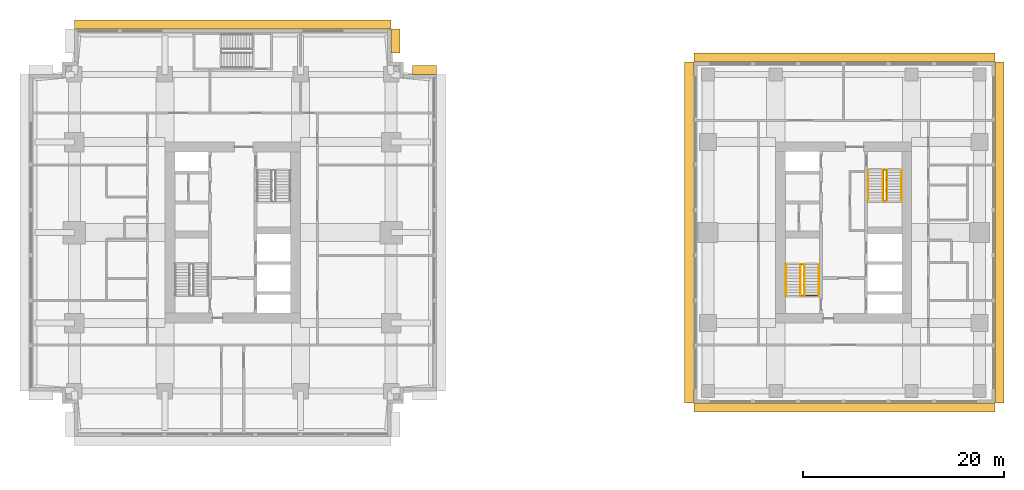
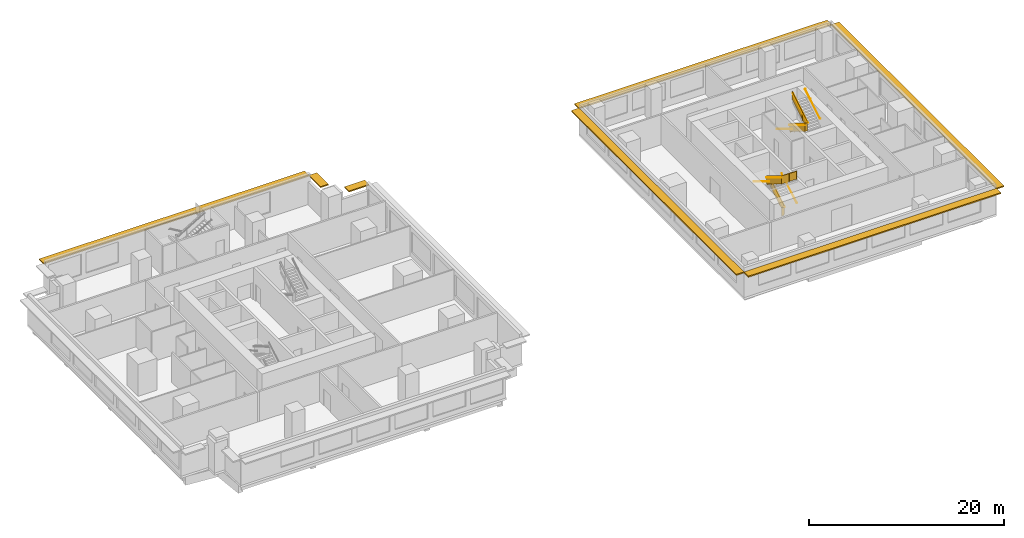
# One storey, part 10 of 10: 10 railings, 7 shading devices.
"""IFC4 building model written with IfcOpenShell, lengths in metres."""

from ifc_helpers import new_model, si_unit, direction, frame, origin, origin_2d, place, context, subcontext, project, spatial, polyline, rectangle, circle, outline, extrude, material, layer, layer_set, type_object, element, save


model = new_model("IFC4")

# Units and contexts
model_context = context("Model", 3, precision=1e-05, world=origin(), true_north=direction((0.0, 1.0)))
body_context = subcontext(model_context, "Body", "Model", "MODEL_VIEW")
ifc_project = project(units=[si_unit("LENGTHUNIT", "METRE"), si_unit("AREAUNIT", "SQUARE_METRE"), si_unit("VOLUMEUNIT", "CUBIC_METRE"), si_unit("PLANEANGLEUNIT", "RADIAN"), si_unit("MASSUNIT", "GRAM", prefix="KILO")], contexts=[model_context])

# Site, building, storey
site_placement = place(None, origin())
site = spatial("IfcSite", under=ifc_project, at=site_placement, CompositionType="ELEMENT")
building_placement = place(site_placement, origin())
building = spatial("IfcBuilding", under=site, at=building_placement, Name="Namib Vertical Campus", CompositionType="ELEMENT")
storey_placement = place(building_placement, frame((0.0, 0.0, 229.0)))
storey = spatial("IfcBuildingStorey", under=building, at=storey_placement, Name="L54", CompositionType="ELEMENT", Elevation=229.0)

# Railings
ifc_material_1 = material(Name="Steel handrail", Category="steel")
railing_type_1 = type_object("IfcRailingType", Name="Handrail 900", PredefinedType="HANDRAIL", material=ifc_material_1)
railing_1_placement = place(storey_placement, frame((78.550048828125, 14.0, 0.166748046875)))
element("IfcRailing", 1, at=railing_1_placement, inside=storey, type_object=railing_type_1, Name="Handrail HR1 B-S1 L54 1", PredefinedType="HANDRAIL", context=body_context, shape_type="SweptSolid", body=[
    extrude(circle(Radius=0.02392578125, at=origin_2d()), frame((0.0, 0.0, 0.8759765625), z_axis=(0.0, 0.859308565015, 0.511457515432), x_axis=(-1.0, 0.0, 0.0)), (0.0, 0.0, 1.0), 3.58447265625),
    extrude(circle(Radius=0.008056640625, at=origin_2d()), frame((0.0, 0.0, 0.8759765625), z_axis=(1.0, 0.0, 0.0), x_axis=(0.0, 0.0, 1.0)), (0.0, 0.0, 1.0), 0.050048828125),
    extrude(circle(Radius=0.008056640625, at=origin_2d()), frame((0.0, 1.026611328125, 1.48681640625), z_axis=(1.0, 0.0, 0.0), x_axis=(0.0, 0.0, 1.0)), (0.0, 0.0, 1.0), 0.050048828125),
    extrude(circle(Radius=0.008056640625, at=origin_2d()), frame((0.0, 2.053466796875, 2.09814453125), z_axis=(1.0, 0.0, 0.0), x_axis=(0.0, 0.0, 1.0)), (0.0, 0.0, 1.0), 0.050048828125),
    extrude(circle(Radius=0.008056640625, at=origin_2d()), frame((0.0, 3.080078125, 2.708984375), z_axis=(1.0, 0.0, 0.0), x_axis=(0.0, 0.0, 1.0)), (0.0, 0.0, 1.0), 0.050048828125),
])
railing_2_placement = place(storey_placement, frame((75.25, 17.080078125, 2.166748046875)))
element("IfcRailing", 2, at=railing_2_placement, inside=storey, type_object=railing_type_1, Name="Handrail HR1 B-S1 L54 2", PredefinedType="HANDRAIL", context=body_context, shape_type="SweptSolid", body=[
    extrude(circle(Radius=0.02392578125, at=origin_2d()), frame((0.0, 0.0, 0.8759765625), z_axis=(0.0, -0.859308565015, 0.511457515432), x_axis=(1.0, 0.0, 0.0)), (0.0, 0.0, 1.0), 3.58447265625),
    extrude(circle(Radius=0.008056640625, at=origin_2d()), frame((0.0, 0.0, 0.8759765625), z_axis=(-1.0, 0.0, 0.0), x_axis=(0.0, 0.0, 1.0)), (0.0, 0.0, 1.0), 0.050048828125),
    extrude(circle(Radius=0.008056640625, at=origin_2d()), frame((0.0, -1.026611328125, 1.48681640625), z_axis=(-1.0, 0.0, 0.0), x_axis=(0.0, 0.0, 1.0)), (0.0, 0.0, 1.0), 0.050048828125),
    extrude(circle(Radius=0.008056640625, at=origin_2d()), frame((0.0, -2.053466796875, 2.09814453125), z_axis=(-1.0, 0.0, 0.0), x_axis=(0.0, 0.0, 1.0)), (0.0, 0.0, 1.0), 0.050048828125),
    extrude(circle(Radius=0.008056640625, at=origin_2d()), frame((0.0, -3.080078125, 2.708984375), z_axis=(-1.0, 0.0, 0.0), x_axis=(0.0, 0.0, 1.0)), (0.0, 0.0, 1.0), 0.050048828125),
])
railing_3_placement = place(storey_placement, frame((77.10009765625, 14.0, 0.166748046875)))
element("IfcRailing", 3, at=railing_3_placement, inside=storey, type_object=railing_type_1, Name="Handrail HR1 B-S1 L54 1 at the well", PredefinedType="HANDRAIL", context=body_context, shape_type="SweptSolid", body=[
    extrude(circle(Radius=0.02392578125, at=origin_2d()), frame((0.0, 0.0, 0.8759765625), z_axis=(0.0, 0.859308565015, 0.511457515432), x_axis=(-1.0, 0.0, 0.0)), (0.0, 0.0, 1.0), 3.58447265625),
    extrude(circle(Radius=0.008056640625, at=origin_2d()), frame((0.0, 0.0, 0.8759765625), z_axis=(-1.0, 0.0, 0.0), x_axis=(0.0, 0.0, 1.0)), (0.0, 0.0, 1.0), 0.0400390625),
    extrude(circle(Radius=0.008056640625, at=origin_2d()), frame((0.0, 1.026611328125, 1.48681640625), z_axis=(-1.0, 0.0, 0.0), x_axis=(0.0, 0.0, 1.0)), (0.0, 0.0, 1.0), 0.0400390625),
    extrude(circle(Radius=0.008056640625, at=origin_2d()), frame((0.0, 2.053466796875, 2.09814453125), z_axis=(-1.0, 0.0, 0.0), x_axis=(0.0, 0.0, 1.0)), (0.0, 0.0, 1.0), 0.0400390625),
    extrude(circle(Radius=0.008056640625, at=origin_2d()), frame((0.0, 3.080078125, 2.708984375), z_axis=(-1.0, 0.0, 0.0), x_axis=(0.0, 0.0, 1.0)), (0.0, 0.0, 1.0), 0.0400390625),
])
railing_4_placement = place(storey_placement, frame((76.699951171875, 17.080078125, 2.166748046875)))
element("IfcRailing", 4, at=railing_4_placement, inside=storey, type_object=railing_type_1, Name="Handrail HR1 B-S1 L54 2 at the well", PredefinedType="HANDRAIL", context=body_context, shape_type="SweptSolid", body=[
    extrude(circle(Radius=0.02392578125, at=origin_2d()), frame((0.0, 0.0, 0.8759765625), z_axis=(0.0, -0.859308565015, 0.511457515432), x_axis=(1.0, 0.0, 0.0)), (0.0, 0.0, 1.0), 3.58447265625),
    extrude(circle(Radius=0.008056640625, at=origin_2d()), frame((0.0, 0.0, 0.8759765625), z_axis=(1.0, 0.0, 0.0), x_axis=(0.0, 0.0, 1.0)), (0.0, 0.0, 1.0), 0.0400390625),
    extrude(circle(Radius=0.008056640625, at=origin_2d()), frame((0.0, -1.026611328125, 1.48681640625), z_axis=(1.0, 0.0, 0.0), x_axis=(0.0, 0.0, 1.0)), (0.0, 0.0, 1.0), 0.0400390625),
    extrude(circle(Radius=0.008056640625, at=origin_2d()), frame((0.0, -2.053466796875, 2.09814453125), z_axis=(1.0, 0.0, 0.0), x_axis=(0.0, 0.0, 1.0)), (0.0, 0.0, 1.0), 0.0400390625),
    extrude(circle(Radius=0.008056640625, at=origin_2d()), frame((0.0, -3.080078125, 2.708984375), z_axis=(1.0, 0.0, 0.0), x_axis=(0.0, 0.0, 1.0)), (0.0, 0.0, 1.0), 0.0400390625),
])
railing_5_placement = place(storey_placement, frame((83.449951171875, 26.5, 0.166748046875)))
element("IfcRailing", 5, at=railing_5_placement, inside=storey, type_object=railing_type_1, Name="Handrail HR1 B-S2 L54 1", PredefinedType="HANDRAIL", context=body_context, shape_type="SweptSolid", body=[
    extrude(circle(Radius=0.02392578125, at=origin_2d()), frame((0.0, 0.0, 0.8759765625), z_axis=(0.0, -0.859308565015, 0.511457515432), x_axis=(1.0, 0.0, 0.0)), (0.0, 0.0, 1.0), 3.58447265625),
    extrude(circle(Radius=0.008056640625, at=origin_2d()), frame((0.0, 0.0, 0.8759765625), z_axis=(-1.0, 0.0, 0.0), x_axis=(0.0, 0.0, 1.0)), (0.0, 0.0, 1.0), 0.050048828125),
    extrude(circle(Radius=0.008056640625, at=origin_2d()), frame((0.0, -1.026611328125, 1.48681640625), z_axis=(-1.0, 0.0, 0.0), x_axis=(0.0, 0.0, 1.0)), (0.0, 0.0, 1.0), 0.050048828125),
    extrude(circle(Radius=0.008056640625, at=origin_2d()), frame((0.0, -2.053466796875, 2.09814453125), z_axis=(-1.0, 0.0, 0.0), x_axis=(0.0, 0.0, 1.0)), (0.0, 0.0, 1.0), 0.050048828125),
    extrude(circle(Radius=0.008056640625, at=origin_2d()), frame((0.0, -3.080078125, 2.708984375), z_axis=(-1.0, 0.0, 0.0), x_axis=(0.0, 0.0, 1.0)), (0.0, 0.0, 1.0), 0.050048828125),
])
railing_6_placement = place(storey_placement, frame((86.75, 23.419921875, 2.166748046875)))
element("IfcRailing", 6, at=railing_6_placement, inside=storey, type_object=railing_type_1, Name="Handrail HR1 B-S2 L54 2", PredefinedType="HANDRAIL", context=body_context, shape_type="SweptSolid", body=[
    extrude(circle(Radius=0.02392578125, at=origin_2d()), frame((0.0, 0.0, 0.8759765625), z_axis=(0.0, 0.859308565015, 0.511457515432), x_axis=(-1.0, 0.0, 0.0)), (0.0, 0.0, 1.0), 3.58447265625),
    extrude(circle(Radius=0.008056640625, at=origin_2d()), frame((0.0, 0.0, 0.8759765625), z_axis=(1.0, 0.0, 0.0), x_axis=(0.0, 0.0, 1.0)), (0.0, 0.0, 1.0), 0.050048828125),
    extrude(circle(Radius=0.008056640625, at=origin_2d()), frame((0.0, 1.026611328125, 1.48681640625), z_axis=(1.0, 0.0, 0.0), x_axis=(0.0, 0.0, 1.0)), (0.0, 0.0, 1.0), 0.050048828125),
    extrude(circle(Radius=0.008056640625, at=origin_2d()), frame((0.0, 2.053466796875, 2.09814453125), z_axis=(1.0, 0.0, 0.0), x_axis=(0.0, 0.0, 1.0)), (0.0, 0.0, 1.0), 0.050048828125),
    extrude(circle(Radius=0.008056640625, at=origin_2d()), frame((0.0, 3.080078125, 2.708984375), z_axis=(1.0, 0.0, 0.0), x_axis=(0.0, 0.0, 1.0)), (0.0, 0.0, 1.0), 0.050048828125),
])
railing_7_placement = place(storey_placement, frame((84.89990234375, 26.5, 0.166748046875)))
element("IfcRailing", 7, at=railing_7_placement, inside=storey, type_object=railing_type_1, Name="Handrail HR1 B-S2 L54 1 at the well", PredefinedType="HANDRAIL", context=body_context, shape_type="SweptSolid", body=[
    extrude(circle(Radius=0.02392578125, at=origin_2d()), frame((0.0, 0.0, 0.8759765625), z_axis=(0.0, -0.859308565015, 0.511457515432), x_axis=(1.0, 0.0, 0.0)), (0.0, 0.0, 1.0), 3.58447265625),
    extrude(circle(Radius=0.008056640625, at=origin_2d()), frame((0.0, 0.0, 0.8759765625), z_axis=(1.0, 0.0, 0.0), x_axis=(0.0, 0.0, 1.0)), (0.0, 0.0, 1.0), 0.0400390625),
    extrude(circle(Radius=0.008056640625, at=origin_2d()), frame((0.0, -1.026611328125, 1.48681640625), z_axis=(1.0, 0.0, 0.0), x_axis=(0.0, 0.0, 1.0)), (0.0, 0.0, 1.0), 0.0400390625),
    extrude(circle(Radius=0.008056640625, at=origin_2d()), frame((0.0, -2.053466796875, 2.09814453125), z_axis=(1.0, 0.0, 0.0), x_axis=(0.0, 0.0, 1.0)), (0.0, 0.0, 1.0), 0.0400390625),
    extrude(circle(Radius=0.008056640625, at=origin_2d()), frame((0.0, -3.080078125, 2.708984375), z_axis=(1.0, 0.0, 0.0), x_axis=(0.0, 0.0, 1.0)), (0.0, 0.0, 1.0), 0.0400390625),
])
railing_8_placement = place(storey_placement, frame((85.300048828125, 23.419921875, 2.166748046875)))
element("IfcRailing", 8, at=railing_8_placement, inside=storey, type_object=railing_type_1, Name="Handrail HR1 B-S2 L54 2 at the well", PredefinedType="HANDRAIL", context=body_context, shape_type="SweptSolid", body=[
    extrude(circle(Radius=0.02392578125, at=origin_2d()), frame((0.0, 0.0, 0.8759765625), z_axis=(0.0, 0.859308565015, 0.511457515432), x_axis=(-1.0, 0.0, 0.0)), (0.0, 0.0, 1.0), 3.58447265625),
    extrude(circle(Radius=0.008056640625, at=origin_2d()), frame((0.0, 0.0, 0.8759765625), z_axis=(-1.0, 0.0, 0.0), x_axis=(0.0, 0.0, 1.0)), (0.0, 0.0, 1.0), 0.0400390625),
    extrude(circle(Radius=0.008056640625, at=origin_2d()), frame((0.0, 1.026611328125, 1.48681640625), z_axis=(-1.0, 0.0, 0.0), x_axis=(0.0, 0.0, 1.0)), (0.0, 0.0, 1.0), 0.0400390625),
    extrude(circle(Radius=0.008056640625, at=origin_2d()), frame((0.0, 2.053466796875, 2.09814453125), z_axis=(-1.0, 0.0, 0.0), x_axis=(0.0, 0.0, 1.0)), (0.0, 0.0, 1.0), 0.0400390625),
    extrude(circle(Radius=0.008056640625, at=origin_2d()), frame((0.0, 3.080078125, 2.708984375), z_axis=(-1.0, 0.0, 0.0), x_axis=(0.0, 0.0, 1.0)), (0.0, 0.0, 1.0), 0.0400390625),
])
ifc_material_2 = material(Name="Steel balustrade", Category="steel")
railing_type_2 = type_object("IfcRailingType", Name="Stair guard 1100", PredefinedType="GUARDRAIL", material=ifc_material_2)
railing_9_placement = place(storey_placement, frame((76.75, 14.0, 0.0)))
element("IfcRailing", 9, at=railing_9_placement, inside=storey, type_object=railing_type_2, Name="Stair guard GR1 B-S1 L54", PredefinedType="GUARDRAIL", context=body_context, shape_type="SweptSolid", body=[
    extrude(circle(Radius=0.02392578125, at=origin_2d()), frame((0.0, 0.0, 1.076171875), z_axis=(1.0, 0.0, 0.0), x_axis=(0.0, 1.0, 0.0)), (0.0, 0.0, 1.0), 0.300048828125),
    extrude(outline(polyline([(0.02099609375, 0.050048828125), (0.279052734375, 0.050048828125), (0.279052734375, 1.052001953125), (0.02099609375, 1.052001953125), (0.02099609375, 0.050048828125)])), frame((0.0, 0.010009765625, 0.0), z_axis=(0.0, -1.0, 0.0), x_axis=(1.0, 0.0, 0.0)), (0.0, 0.0, 1.0), 0.02001953125),
    extrude(circle(Radius=0.02392578125, at=origin_2d()), frame((0.300048828125, 0.0, 1.076171875), z_axis=(0.0, 0.0, 1.0), x_axis=(1.0, 0.0, 0.0)), (0.0, 0.0, 1.0), 0.166748046875),
    extrude(circle(Radius=0.02392578125, at=origin_2d()), frame((0.300048828125, 0.0, 1.24267578125), z_axis=(0.0, 0.859308565015, 0.511457515432), x_axis=(-1.0, 0.0, 0.0)), (0.0, 0.0, 1.0), 3.58447265625),
    extrude(outline(polyline([(0.02099609375, 0.0625), (3.05908203125, 1.870849609375), (3.05908203125, 2.872802734375), (0.02099609375, 1.064453125), (0.02099609375, 0.0625)])), frame((0.2900390625, 0.0, 0.166748046875), z_axis=(1.0, 0.0, 0.0), x_axis=(0.0, 1.0, 0.0)), (0.0, 0.0, 1.0), 0.02001953125),
    extrude(circle(Radius=0.02392578125, at=origin_2d()), frame((0.300048828125, 3.080078125, 3.076171875), z_axis=(-1.0, 0.0, 0.0), x_axis=(0.0, -1.0, 0.0)), (0.0, 0.0, 1.0), 0.300048828125),
    extrude(outline(polyline([(0.02099609375, 0.050048828125), (0.279052734375, 0.050048828125), (0.279052734375, 1.052001953125), (0.02099609375, 1.052001953125), (0.02099609375, 0.050048828125)])), frame((0.300048828125, 3.070068359375, 2.0), z_axis=(0.0, 1.0, 0.0), x_axis=(-1.0, 0.0, 0.0)), (0.0, 0.0, 1.0), 0.02001953125),
    extrude(circle(Radius=0.02392578125, at=origin_2d()), frame((0.0, 3.080078125, 3.076171875), z_axis=(0.0, 0.0, 1.0), x_axis=(1.0, 0.0, 0.0)), (0.0, 0.0, 1.0), 0.166748046875),
    extrude(circle(Radius=0.02392578125, at=origin_2d()), frame((0.0, 3.080078125, 3.24267578125), z_axis=(0.0, -0.859308565015, 0.511457515432), x_axis=(1.0, 0.0, 0.0)), (0.0, 0.0, 1.0), 3.58447265625),
    extrude(outline(polyline([(0.02099609375, 0.0625), (3.05908203125, 1.870849609375), (3.05908203125, 2.872802734375), (0.02099609375, 1.064453125), (0.02099609375, 0.0625)])), frame((0.010009765625, 3.080078125, 2.166748046875), z_axis=(-1.0, 0.0, 0.0), x_axis=(0.0, -1.0, 0.0)), (0.0, 0.0, 1.0), 0.02001953125),
    extrude(circle(Radius=0.02392578125, at=origin_2d()), frame((0.0, 0.0, 5.076171875), z_axis=(1.0, 0.0, 0.0), x_axis=(0.0, 1.0, 0.0)), (0.0, 0.0, 1.0), 1.800048828125),
    extrude(outline(polyline([(0.02099609375, 0.050048828125), (1.779052734375, 0.050048828125), (1.779052734375, 1.052001953125), (0.02099609375, 1.052001953125), (0.02099609375, 0.050048828125)])), frame((0.0, 0.010009765625, 4.0), z_axis=(0.0, -1.0, 0.0), x_axis=(1.0, 0.0, 0.0)), (0.0, 0.0, 1.0), 0.02001953125),
    extrude(circle(Radius=0.02099609375, at=origin_2d()), origin(), (0.0, 0.0, 1.0), 1.052001953125),
    extrude(circle(Radius=0.02099609375, at=origin_2d()), frame((0.300048828125, 0.0, 0.166748046875)), (0.0, 0.0, 1.0), 1.052001953125),
    extrude(circle(Radius=0.02099609375, at=origin_2d()), frame((0.300048828125, 1.026611328125, 0.666748046875)), (0.0, 0.0, 1.0), 1.1630859375),
    extrude(circle(Radius=0.02099609375, at=origin_2d()), frame((0.300048828125, 2.053466796875, 1.33349609375)), (0.0, 0.0, 1.0), 1.107421875),
    extrude(circle(Radius=0.02099609375, at=origin_2d()), frame((0.300048828125, 3.080078125, 2.0)), (0.0, 0.0, 1.0), 1.052001953125),
    extrude(circle(Radius=0.02099609375, at=origin_2d()), frame((0.0, 3.080078125, 2.166748046875)), (0.0, 0.0, 1.0), 1.052001953125),
    extrude(circle(Radius=0.02099609375, at=origin_2d()), frame((0.0, 2.053466796875, 2.666748046875)), (0.0, 0.0, 1.0), 1.1630859375),
    extrude(circle(Radius=0.02099609375, at=origin_2d()), frame((0.0, 1.026611328125, 3.33349609375)), (0.0, 0.0, 1.0), 1.107421875),
    extrude(circle(Radius=0.02099609375, at=origin_2d()), frame((0.0, 0.0, 4.0)), (0.0, 0.0, 1.0), 1.052001953125),
    extrude(circle(Radius=0.02099609375, at=origin_2d()), frame((0.89990234375, 0.0, 4.0)), (0.0, 0.0, 1.0), 1.052001953125),
    extrude(circle(Radius=0.02099609375, at=origin_2d()), frame((1.800048828125, 0.0, 4.0)), (0.0, 0.0, 1.0), 1.052001953125),
])
railing_10_placement = place(storey_placement, frame((85.25, 26.5, 0.0)))
element("IfcRailing", 10, at=railing_10_placement, inside=storey, type_object=railing_type_2, Name="Stair guard GR1 B-S2 L54", PredefinedType="GUARDRAIL", context=body_context, shape_type="SweptSolid", body=[
    extrude(circle(Radius=0.02392578125, at=origin_2d()), frame((0.0, 0.0, 1.076171875), z_axis=(-1.0, 0.0, 0.0), x_axis=(0.0, -1.0, 0.0)), (0.0, 0.0, 1.0), 0.300048828125),
    extrude(outline(polyline([(0.02099609375, 0.050048828125), (0.279052734375, 0.050048828125), (0.279052734375, 1.052001953125), (0.02099609375, 1.052001953125), (0.02099609375, 0.050048828125)])), frame((0.0, -0.010009765625, 0.0), z_axis=(0.0, 1.0, 0.0), x_axis=(-1.0, 0.0, 0.0)), (0.0, 0.0, 1.0), 0.02001953125),
    extrude(circle(Radius=0.02392578125, at=origin_2d()), frame((-0.300048828125, 0.0, 1.076171875), z_axis=(0.0, 0.0, 1.0), x_axis=(1.0, 0.0, 0.0)), (0.0, 0.0, 1.0), 0.166748046875),
    extrude(circle(Radius=0.02392578125, at=origin_2d()), frame((-0.300048828125, 0.0, 1.24267578125), z_axis=(0.0, -0.859308565015, 0.511457515432), x_axis=(1.0, 0.0, 0.0)), (0.0, 0.0, 1.0), 3.58447265625),
    extrude(outline(polyline([(0.02099609375, 0.0625), (3.05908203125, 1.870849609375), (3.05908203125, 2.872802734375), (0.02099609375, 1.064453125), (0.02099609375, 0.0625)])), frame((-0.2900390625, 0.0, 0.166748046875), z_axis=(-1.0, 0.0, 0.0), x_axis=(0.0, -1.0, 0.0)), (0.0, 0.0, 1.0), 0.02001953125),
    extrude(circle(Radius=0.02392578125, at=origin_2d()), frame((-0.300048828125, -3.080078125, 3.076171875), z_axis=(1.0, 0.0, 0.0), x_axis=(0.0, 1.0, 0.0)), (0.0, 0.0, 1.0), 0.300048828125),
    extrude(outline(polyline([(0.02099609375, 0.050048828125), (0.279052734375, 0.050048828125), (0.279052734375, 1.052001953125), (0.02099609375, 1.052001953125), (0.02099609375, 0.050048828125)])), frame((-0.300048828125, -3.070068359375, 2.0), z_axis=(0.0, -1.0, 0.0), x_axis=(1.0, 0.0, 0.0)), (0.0, 0.0, 1.0), 0.02001953125),
    extrude(circle(Radius=0.02392578125, at=origin_2d()), frame((0.0, -3.080078125, 3.076171875), z_axis=(0.0, 0.0, 1.0), x_axis=(1.0, 0.0, 0.0)), (0.0, 0.0, 1.0), 0.166748046875),
    extrude(circle(Radius=0.02392578125, at=origin_2d()), frame((0.0, -3.080078125, 3.24267578125), z_axis=(0.0, 0.859308565015, 0.511457515432), x_axis=(-1.0, 0.0, 0.0)), (0.0, 0.0, 1.0), 3.58447265625),
    extrude(outline(polyline([(0.02099609375, 0.0625), (3.05908203125, 1.870849609375), (3.05908203125, 2.872802734375), (0.02099609375, 1.064453125), (0.02099609375, 0.0625)])), frame((-0.010009765625, -3.080078125, 2.166748046875), z_axis=(1.0, 0.0, 0.0), x_axis=(0.0, 1.0, 0.0)), (0.0, 0.0, 1.0), 0.02001953125),
    extrude(circle(Radius=0.02392578125, at=origin_2d()), frame((0.0, 0.0, 5.076171875), z_axis=(0.0, 1.0, 0.0), x_axis=(-1.0, 0.0, 0.0)), (0.0, 0.0, 1.0), 0.050048828125),
    extrude(outline(polyline([(0.02099609375, 0.050048828125), (0.029052734375, 0.050048828125), (0.029052734375, 1.052001953125), (0.02099609375, 1.052001953125), (0.02099609375, 0.050048828125)])), frame((-0.010009765625, 0.0, 4.0), z_axis=(1.0, 0.0, 0.0), x_axis=(0.0, 1.0, 0.0)), (0.0, 0.0, 1.0), 0.02001953125),
    extrude(circle(Radius=0.02099609375, at=origin_2d()), origin(), (0.0, 0.0, 1.0), 1.052001953125),
    extrude(circle(Radius=0.02099609375, at=origin_2d()), frame((-0.300048828125, 0.0, 0.166748046875)), (0.0, 0.0, 1.0), 1.052001953125),
    extrude(circle(Radius=0.02099609375, at=origin_2d()), frame((-0.300048828125, -1.026611328125, 0.666748046875)), (0.0, 0.0, 1.0), 1.1630859375),
    extrude(circle(Radius=0.02099609375, at=origin_2d()), frame((-0.300048828125, -2.053466796875, 1.33349609375)), (0.0, 0.0, 1.0), 1.107421875),
    extrude(circle(Radius=0.02099609375, at=origin_2d()), frame((-0.300048828125, -3.080078125, 2.0)), (0.0, 0.0, 1.0), 1.052001953125),
    extrude(circle(Radius=0.02099609375, at=origin_2d()), frame((0.0, -3.080078125, 2.166748046875)), (0.0, 0.0, 1.0), 1.052001953125),
    extrude(circle(Radius=0.02099609375, at=origin_2d()), frame((0.0, -2.053466796875, 2.666748046875)), (0.0, 0.0, 1.0), 1.1630859375),
    extrude(circle(Radius=0.02099609375, at=origin_2d()), frame((0.0, -1.026611328125, 3.33349609375)), (0.0, 0.0, 1.0), 1.107421875),
    extrude(circle(Radius=0.02099609375, at=origin_2d()), frame((0.0, 0.0, 4.0)), (0.0, 0.0, 1.0), 1.052001953125),
    extrude(circle(Radius=0.02099609375, at=origin_2d()), frame((0.0, 0.050048828125, 4.0)), (0.0, 0.0, 1.0), 1.052001953125),
])

# Shading devices
ifc_material_3 = material(Name="Concrete C40/50 precast", Category="concrete")
ifc_layer = layer(ifc_material_3, 0.14990234375)
ifc_layer_set = layer_set([ifc_layer], Name="Concrete C40/50 precast")
shading_device_type = type_object("IfcShadingDeviceType", Name="Sunshade hood 900", PredefinedType="SHUTTER", material=ifc_layer_set)
for number, where, z_axis, x_axis, name in (
    (11, (39.3125, 36.449951171875, 3.199951171875), (0.0, 0.0, 1.0), (-1.0, 0.0, 0.0), "Sunshade SH1 L54 7"),
    (12, (36.449951171875, 39.3125, 3.199951171875), (0.0, 0.0, 1.0), (0.0, 1.0, 0.0), "Sunshade SH1 L54 10"),
):
    element("IfcShadingDevice", number, at=place(storey_placement, frame(where, z_axis=z_axis, x_axis=x_axis)), inside=storey, type_object=shading_device_type, Name=name, PredefinedType="SHUTTER", context=body_context, shape_type="SweptSolid", body=[
        extrude(rectangle(XDim=2.375, YDim=0.89990234375, at=origin_2d()), origin(), (0.0, 0.0, 1.0), 0.14990234375),
    ])
shading_device_1_placement = place(storey_placement, frame((20.25, 40.949951171875, 3.199951171875), z_axis=(0.0, 0.0, 1.0), x_axis=(-1.0, 0.0, 0.0)))
element("IfcShadingDevice", 13, at=shading_device_1_placement, inside=storey, type_object=shading_device_type, Name="Sunshade SH1 L54 11", PredefinedType="SHUTTER", context=body_context, shape_type="SweptSolid", body=[
    extrude(rectangle(XDim=31.5, YDim=0.89990234375, at=origin_2d()), origin(), (0.0, 0.0, 1.0), 0.14990234375),
])
shading_device_2_placement = place(storey_placement, frame((81.074951171875, 2.85009765625, 3.10009765625), z_axis=(0.0, 0.0, 1.0), x_axis=(1.0, 0.0, 0.0)))
element("IfcShadingDevice", 14, at=shading_device_2_placement, inside=storey, type_object=shading_device_type, Name="Sunshade SH1 L54 1", PredefinedType="SHUTTER", context=body_context, shape_type="SweptSolid", body=[
    extrude(rectangle(XDim=29.949951171875, YDim=0.89990234375, at=origin_2d()), origin(), (0.0, 0.0, 1.0), 0.14990234375),
])
shading_device_3_placement = place(storey_placement, frame((96.5, 20.25, 3.10009765625), z_axis=(0.0, 0.0, 1.0), x_axis=(0.0, 1.0, 0.0)))
element("IfcShadingDevice", 15, at=shading_device_3_placement, inside=storey, type_object=shading_device_type, Name="Sunshade SH1 L54 2", PredefinedType="SHUTTER", context=body_context, shape_type="SweptSolid", body=[
    extrude(rectangle(XDim=33.89990234375, YDim=0.89990234375, at=origin_2d()), origin(), (0.0, 0.0, 1.0), 0.14990234375),
])
shading_device_4_placement = place(storey_placement, frame((81.074951171875, 37.64990234375, 3.10009765625), z_axis=(0.0, 0.0, 1.0), x_axis=(-1.0, 0.0, 0.0)))
element("IfcShadingDevice", 16, at=shading_device_4_placement, inside=storey, type_object=shading_device_type, Name="Sunshade SH1 L54 3", PredefinedType="SHUTTER", context=body_context, shape_type="SweptSolid", body=[
    extrude(rectangle(XDim=29.949951171875, YDim=0.89990234375, at=origin_2d()), origin(), (0.0, 0.0, 1.0), 0.14990234375),
])
shading_device_5_placement = place(storey_placement, frame((65.64990234375, 20.25, 3.10009765625), z_axis=(0.0, 0.0, 1.0), x_axis=(0.0, -1.0, 0.0)))
element("IfcShadingDevice", 17, at=shading_device_5_placement, inside=storey, type_object=shading_device_type, Name="Sunshade SH1 L54 4", PredefinedType="SHUTTER", context=body_context, shape_type="SweptSolid", body=[
    extrude(rectangle(XDim=33.89990234375, YDim=0.89990234375, at=origin_2d()), origin(), (0.0, 0.0, 1.0), 0.14990234375),
])

save(model, "model.ifc")
